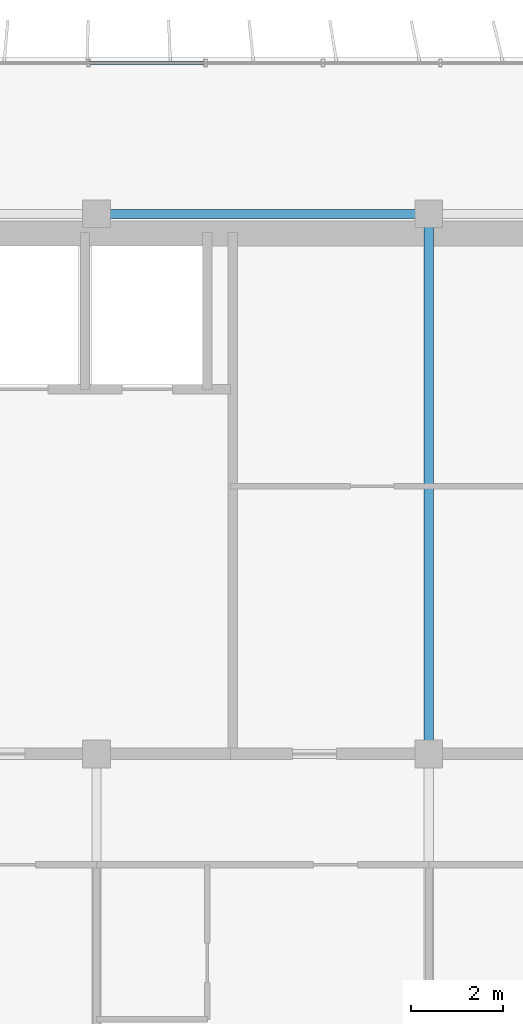
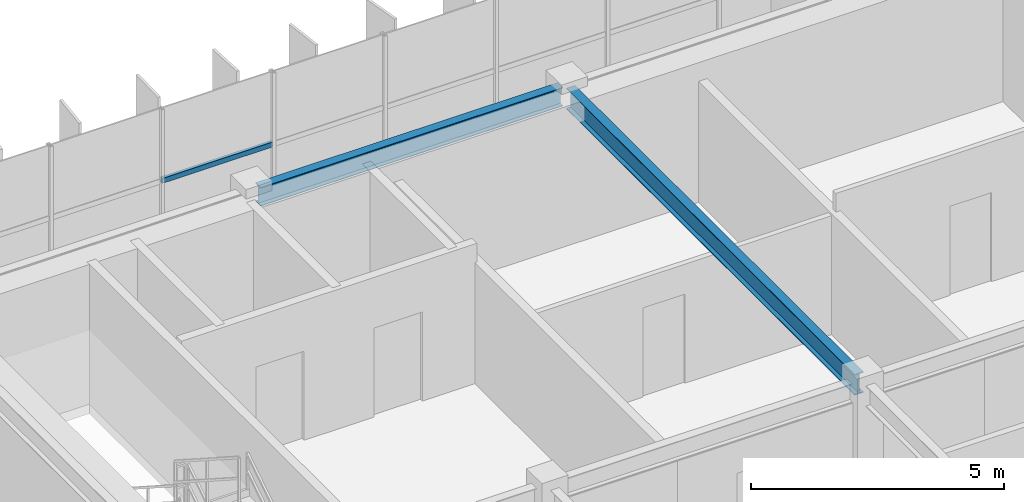
# One storey, part 7 of 22: 2 beams, 1 member, 1 element without a shape of its own.
"""IFC4 building model written with IfcOpenShell, lengths in metres."""

from ifc_helpers import new_model, si_unit, direction, frame, origin, origin_2d, place, context, subcontext, project, spatial, hollow_rectangle, i_section, extrude, source, transform, mapped, material, material_profile, profile_set, type_object, element, aggregate, save


model = new_model("IFC4")

# Units and contexts
model_context = context("Model", 3, precision=1e-05, world=origin(), true_north=direction((0.0, 1.0)))
body_context = subcontext(model_context, "Body", "Model", "MODEL_VIEW")
ifc_project = project(units=[si_unit("LENGTHUNIT", "METRE"), si_unit("AREAUNIT", "SQUARE_METRE"), si_unit("VOLUMEUNIT", "CUBIC_METRE"), si_unit("PLANEANGLEUNIT", "RADIAN"), si_unit("MASSUNIT", "GRAM", prefix="KILO")], contexts=[model_context])

# Site, building, storey
site_placement = place(None, origin())
site = spatial("IfcSite", under=ifc_project, at=site_placement, CompositionType="ELEMENT")
building_placement = place(site_placement, origin())
building = spatial("IfcBuilding", under=site, at=building_placement, Name="Trelvane Seafront Commons", CompositionType="ELEMENT")
storey_placement = place(building_placement, frame((0.0, 0.0, 273.89990234375)))
storey = spatial("IfcBuildingStorey", under=building, at=storey_placement, Name="L71", CompositionType="ELEMENT", Elevation=273.89990234375)

# Beams
ifc_material_1 = material(Name="Steel SM355 (S355)", Category="steel")
ifc_material_profile_1 = material_profile(ifc_material_1, i_section(OverallWidth=0.199951171875, OverallDepth=0.5, WebThickness=0.010009765625, FlangeThickness=0.01611328125, at=origin_2d()), Name="H-500x200x10x16")
ifc_profile_set_1 = profile_set([ifc_material_profile_1], Name="Steel SM355 (S355)")
beam_type_1 = type_object("IfcBeamType", Name="STR-BM-H500", PredefinedType="BEAM", material=ifc_profile_set_1)
shared_shape_1 = source(origin(), body_context, "Body", "SweptSolid", [
    extrude(i_section(OverallWidth=0.199951171875, OverallDepth=0.5, WebThickness=0.010009765625, FlangeThickness=0.01611328125, at=origin_2d()), origin(), (0.0, 0.0, 1.0), 11.39990234375),
])
beam_1_placement = place(storey_placement, frame((30.60009765625, 33.550048828125, 3.1201171875), z_axis=(0.0, 1.0, 0.0), x_axis=(-1.0, 0.0, 0.0)))
element("IfcBeam", 1, at=beam_1_placement, inside=storey, type_object=beam_type_1, Name="L71 Primary Girder G-40", PredefinedType="BEAM", context=body_context, shape_type="MappedRepresentation", body=[
    mapped(shared_shape_1, transform((0.0, 0.0, 0.0), x_axis=(1.0, 0.0, 0.0), y_axis=(0.0, 1.0, 0.0), z_axis=(0.0, 0.0, 1.0), scale=1.0)),
])
ifc_material_profile_2 = material_profile(ifc_material_1, i_section(OverallWidth=0.199951171875, OverallDepth=0.449951171875, WebThickness=0.009033203125, FlangeThickness=0.013916015625, at=origin_2d()), Name="H-450x200x9x14")
ifc_profile_set_2 = profile_set([ifc_material_profile_2], Name="Steel SM355 (S355)")
beam_type_2 = type_object("IfcBeamType", Name="STR-SPD-H450", PredefinedType="SPANDREL", material=ifc_profile_set_2)
shared_shape_2 = source(origin(), body_context, "Body", "SweptSolid", [
    extrude(i_section(OverallWidth=0.199951171875, OverallDepth=0.449951171875, WebThickness=0.009033203125, FlangeThickness=0.013916015625, at=origin_2d()), origin(), (0.0, 0.0, 1.0), 6.89990234375),
])
beam_2_placement = place(storey_placement, frame((23.550048828125, 45.10009765625, 3.14501953125), z_axis=(1.0, 0.0, 0.0), x_axis=(0.0, 1.0, 0.0)))
element("IfcBeam", 2, at=beam_2_placement, inside=storey, type_object=beam_type_2, Name="L71 Primary Girder G-24", PredefinedType="SPANDREL", context=body_context, shape_type="MappedRepresentation", body=[
    mapped(shared_shape_2, transform((0.0, 0.0, 0.0), x_axis=(1.0, 0.0, 0.0), y_axis=(0.0, 1.0, 0.0), z_axis=(0.0, 0.0, 1.0), scale=1.0)),
])

# Curtain wall, member
ifc_material_2 = material(Name="Anodised pale-silver aluminium", Category="aluminium")
curtain_wall_type = type_object("IfcCurtainWallType", Name="ARCH-CW5-UPTOWER", PredefinedType="NOTDEFINED", material=ifc_material_2)
curtain_wall_placement = place(storey_placement, origin())
curtain_wall = element("IfcCurtainWall", 3, at=curtain_wall_placement, inside=storey, type_object=curtain_wall_type, Name="CW-L71-0115", PredefinedType="NOTDEFINED")
ifc_material_profile_3 = material_profile(ifc_material_2, hollow_rectangle(XDim=0.070068359375, YDim=0.1201171875, WallThickness=0.00390625, at=origin_2d()), Name="TRAN-70x120x4")
ifc_profile_set_3 = profile_set([ifc_material_profile_3], Name="Anodised pale-silver aluminium")
member_type = type_object("IfcMemberType", Name="ARCH-CW-TRAN-120", PredefinedType="USERDEFINED", material=ifc_profile_set_3)
shared_shape_3 = source(origin(), body_context, "Body", "SweptSolid", [
    extrude(hollow_rectangle(XDim=0.070068359375, YDim=0.1201171875, WallThickness=0.00390625, at=origin_2d()), origin(), (0.0, 0.0, 1.0), 2.51708984375),
])
member_placement = place(storey_placement, frame((23.235595703125, 48.3701171875, 1.6181640625), z_axis=(1.0, 0.0, 0.0), x_axis=(0.0, 1.0, 0.0)))
member = element("IfcMember", 4, at=member_placement, type_object=member_type, Name="CW-L71-0115-T03", ObjectType="TRANSOM", PredefinedType="USERDEFINED", context=body_context, shape_type="MappedRepresentation", body=[
    mapped(shared_shape_3, transform((0.0, 0.0, 0.0), x_axis=(1.0, 0.0, 0.0), y_axis=(0.0, 1.0, 0.0), z_axis=(0.0, 0.0, 1.0), scale=1.0)),
])
aggregate(curtain_wall, [member])

save(model, "model.ifc")
